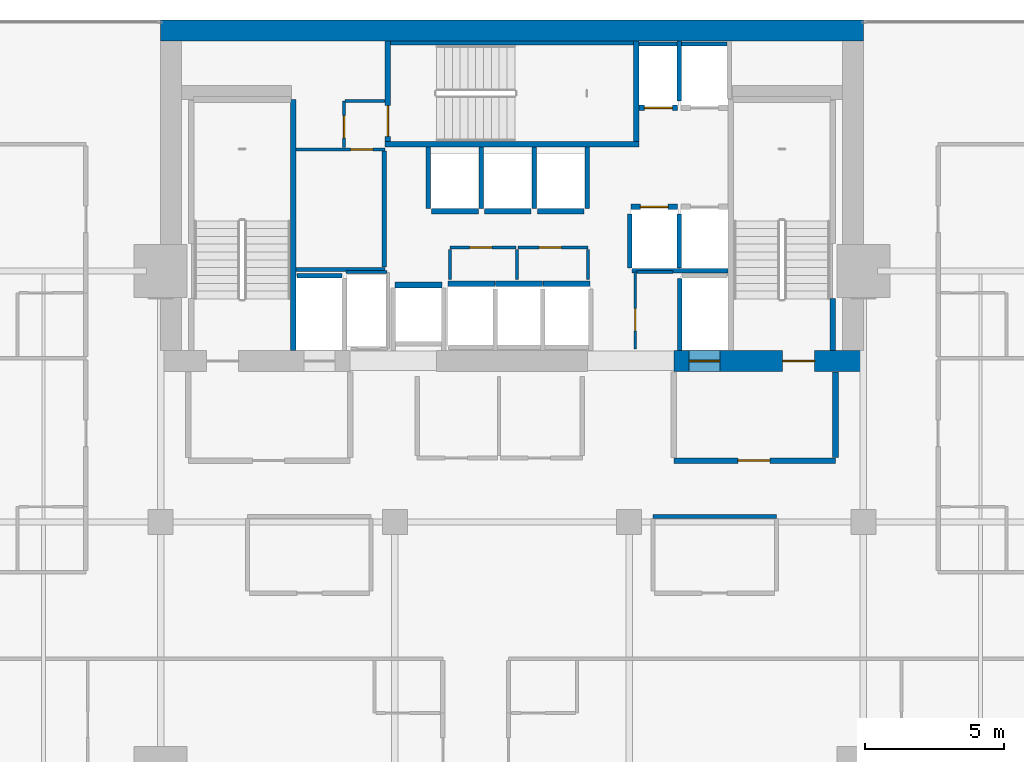
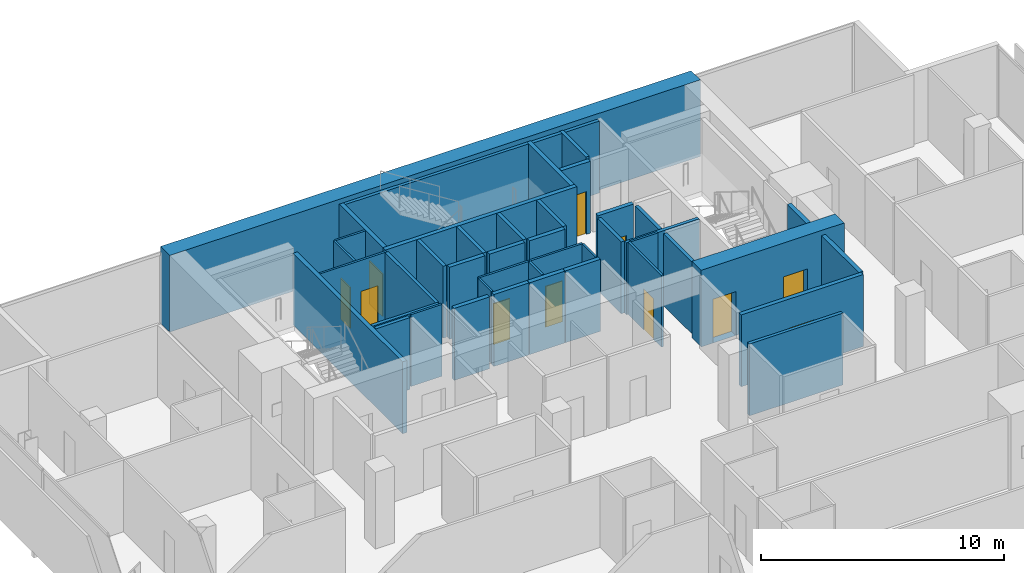
# One storey, part 30 of 34: 44 walls, 11 doors, 11 openings.
"""IFC4 building model written with IfcOpenShell, lengths in metres."""

from ifc_helpers import new_model, si_unit, direction, frame, frame_2d, origin, place, context, subcontext, project, spatial, rectangle, extrude, material, layer, layer_set, type_object, element, fill, save


model = new_model("IFC4")

# Units and contexts
model_context = context("Model", 3, precision=1e-05, world=origin(), true_north=direction((0.0, 1.0)))
body_context = subcontext(model_context, "Body", "Model", "MODEL_VIEW")
ifc_project = project(units=[si_unit("LENGTHUNIT", "METRE"), si_unit("AREAUNIT", "SQUARE_METRE"), si_unit("VOLUMEUNIT", "CUBIC_METRE"), si_unit("PLANEANGLEUNIT", "RADIAN"), si_unit("MASSUNIT", "GRAM", prefix="KILO")], contexts=[model_context])

# Site, building, storey
site_placement = place(None, origin())
site = spatial("IfcSite", under=ifc_project, at=site_placement, CompositionType="ELEMENT")
building_placement = place(site_placement, origin())
building = spatial("IfcBuilding", under=site, at=building_placement, Name="Maruvema Waterfront Hotel and Observation Tower", CompositionType="ELEMENT")
storey_placement = place(building_placement, frame((0.0, 0.0, 146.64990234375)))
storey = spatial("IfcBuildingStorey", under=building, at=storey_placement, Name="L35", CompositionType="ELEMENT", Elevation=146.64990234375)

# Walls
ifc_material_1 = material(Name="Twin-stud acoustic gypsum drywall", Category="gypsum")
ifc_layer_1 = layer(ifc_material_1, 0.14990234375, Name="Acoustic Corridor and Suite Demising Wall 150 mm")
ifc_layer_set_1 = layer_set([ifc_layer_1], Name="Twin-stud acoustic gypsum drywall")
wall_type_1 = type_object("IfcWallType", Name="Acoustic Corridor and Suite Demising Wall 150 mm", PredefinedType="PARTITIONING", material=ifc_layer_set_1)
wall_1_placement = place(storey_placement, frame((30.06005859375, 45.06005859375, 0.0), z_axis=(0.0, 0.0, 1.0), x_axis=(1.0, 0.0, 0.0)))
element("IfcWall", 1, at=wall_1_placement, inside=storey, type_object=wall_type_1, Name="L35 Freed B1 South Wall 017", PredefinedType="PARTITIONING", context=body_context, shape_type="SweptSolid", body=[
    extrude(rectangle(XDim=3.179931640625, YDim=0.14990234375, at=frame_2d((1.58984375, 0.0))), origin(), (0.0, 0.0, 1.0), 3.610107421875),
])
wall_2_placement = place(storey_placement, frame((33.219970703125, 45.139892578125, 0.0), z_axis=(0.0, 0.0, 1.0), x_axis=(0.0, 1.0, 0.0)))
element("IfcWall", 2, at=wall_2_placement, inside=storey, type_object=wall_type_1, Name="L35 Freed B1 East Wall 018", PredefinedType="PARTITIONING", context=body_context, shape_type="SweptSolid", body=[
    extrude(rectangle(XDim=4.16015625, YDim=0.14990234375, at=frame_2d((2.080078125, 0.0))), origin(), (0.0, 0.0, 1.0), 3.610107421875),
])
wall_3_placement = place(storey_placement, frame((42.85009765625, 36.199951171875, 0.0), z_axis=(0.0, 0.0, 1.0), x_axis=(1.0, 0.0, 0.0)))
element("IfcWall", 3, at=wall_3_placement, inside=storey, type_object=wall_type_1, Name="L35 L35-M2 Back Wall 031", PredefinedType="PARTITIONING", context=body_context, shape_type="SweptSolid", body=[
    extrude(rectangle(XDim=4.429931640625, YDim=0.14990234375, at=frame_2d((2.21484375, 0.0))), origin(), (0.0, 0.0, 1.0), 3.610107421875),
])
ifc_material_2 = material(Name="Precast concrete C45/55", Category="concrete")
ifc_layer_2 = layer(ifc_material_2, 0.14990234375, Name="Core Shaft Furring Wall 150 mm")
ifc_layer_set_2 = layer_set([ifc_layer_2], Name="Precast concrete C45/55")
wall_type_2 = type_object("IfcWallType", Name="Core Shaft Furring Wall 150 mm", PredefinedType="SOLIDWALL", material=ifc_layer_set_2)
wall_4_placement = place(storey_placement, frame((33.449951171875, 53.175048828125, 0.0), z_axis=(0.0, 0.0, 1.0), x_axis=(1.0, 0.0, 0.0)))
element("IfcWall", 4, at=wall_4_placement, inside=storey, type_object=wall_type_2, Name="L35 Stairwell ST-02 North Furring Wall", PredefinedType="SOLIDWALL", context=body_context, shape_type="SweptSolid", body=[
    extrude(rectangle(XDim=8.699951171875, YDim=0.14990234375, at=frame_2d((4.35009765625, 0.0))), origin(), (0.0, 0.0, 1.0), 3.610107421875),
])
ifc_material_3 = material(Name="Precast concrete C45/55", Category="concrete")
ifc_layer_3 = layer(ifc_material_3, 0.199951171875, Name="Core Shaft and Stairwell Enclosure Wall 200 mm")
ifc_layer_set_3 = layer_set([ifc_layer_3], Name="Precast concrete C45/55")
wall_type_3 = type_object("IfcWallType", Name="Core Shaft and Stairwell Enclosure Wall 200 mm", PredefinedType="SOLIDWALL", material=ifc_layer_set_3)
wall_5_placement = place(storey_placement, frame((29.949951171875, 42.14990234375, 0.0), z_axis=(0.0, 0.0, 1.0), x_axis=(0.0, 1.0, 0.0)))
element("IfcWall", 5, at=wall_5_placement, inside=storey, type_object=wall_type_3, Name="L35 Stairwell ST-01 East Shaft Wall", PredefinedType="SOLIDWALL", context=body_context, shape_type="SweptSolid", body=[
    extrude(rectangle(XDim=9.0, YDim=0.199951171875, at=frame_2d((4.5, 0.0))), origin(), (0.0, 0.0, 1.0), 3.610107421875),
])
wall_6_placement = place(storey_placement, frame((33.25, 49.550048828125, 0.0), z_axis=(0.0, 0.0, 1.0), x_axis=(1.0, 0.0, 0.0)))
element("IfcWall", 6, at=wall_6_placement, inside=storey, type_object=wall_type_3, Name="L35 Stairwell ST-02 Shaft Wall", PredefinedType="SOLIDWALL", context=body_context, shape_type="SweptSolid", body=[
    extrude(rectangle(XDim=9.10009765625, YDim=0.199951171875, at=frame_2d((4.550048828125, 0.0))), origin(), (0.0, 0.0, 1.0), 3.610107421875),
])
wall_7_placement = place(storey_placement, frame((42.25, 49.64990234375, 0.0), z_axis=(0.0, 0.0, 1.0), x_axis=(0.0, 1.0, 0.0)))
element("IfcWall", 7, at=wall_7_placement, inside=storey, type_object=wall_type_3, Name="L35 Stairwell ST-02 Shaft Wall", PredefinedType="SOLIDWALL", context=body_context, shape_type="SweptSolid", body=[
    extrude(rectangle(XDim=3.60009765625, YDim=0.199951171875, at=frame_2d((1.800048828125, 0.0))), origin(), (0.0, 0.0, 1.0), 3.610107421875),
])

# Wall, opening, door
wall_8_placement = place(storey_placement, frame((33.35009765625, 49.64990234375, 0.0), z_axis=(0.0, 0.0, 1.0), x_axis=(0.0, 1.0, 0.0)))
wall_8 = element("IfcWall", 8, at=wall_8_placement, inside=storey, type_object=wall_type_3, Name="L35 Stairwell ST-02 Shaft Wall", PredefinedType="SOLIDWALL", context=body_context, shape_type="SweptSolid", body=[
    extrude(rectangle(XDim=3.60009765625, YDim=0.199951171875, at=frame_2d((1.800048828125, 0.0))), origin(), (0.0, 0.0, 1.0), 3.610107421875),
])
opening_1_placement = place(wall_8_placement, frame((0.179931640625, 0.0, 0.0)))
opening_1 = element("IfcOpeningElement", 9, at=opening_1_placement, cuts=wall_8, Name="Opening SD-02", PredefinedType="OPENING", context=body_context, shape_type="SweptSolid", body=[
    extrude(rectangle(XDim=1.10009765625, YDim=2.14990234375, at=frame_2d((0.550048828125, 1.074951171875))), frame((0.0, 0.10986328125, 0.0), z_axis=(0.0, -1.0, 0.0), x_axis=(1.0, 0.0, 0.0)), (0.0, 0.0, 1.0), 0.219970703125),
])
ifc_material_4 = material(Name="Fire-rated galvanised steel leaf", Category="steel")
door_type_1 = type_object("IfcDoorType", Name="Central Exit Stair Fire Door 1100x2150 mm", OperationType="NOTDEFINED", PredefinedType="DOOR", material=ifc_material_4)
door_1_placement = place(opening_1_placement, frame((1.10009765625, 0.0, 0.0), z_axis=(0.0, 0.0, 1.0), x_axis=(-1.0, 0.0, 0.0)))
door_1 = element("IfcDoor", 10, at=door_1_placement, inside=storey, type_object=door_type_1, Name="L35 Exit Stair ST-02 Fire Door", OperationType="SINGLE_SWING_LEFT", OverallHeight=2.14990234375, OverallWidth=1.10009765625, PredefinedType="DOOR", context=body_context, shape_type="SweptSolid", body=[
    extrude(rectangle(XDim=1.10009765625, YDim=2.14990234375, at=frame_2d((0.550048828125, 1.074951171875))), frame((0.0, 0.02490234375, 0.0), z_axis=(0.0, -1.0, 0.0), x_axis=(1.0, 0.0, 0.0)), (0.0, 0.0, 1.0), 0.050048828125),
])
fill(opening_1, door_1)

# Wall
wall_9_placement = place(storey_placement, frame((49.300048828125, 42.14990234375, 0.0), z_axis=(0.0, 0.0, 1.0), x_axis=(0.0, 1.0, 0.0)))
element("IfcWall", 11, at=wall_9_placement, inside=storey, type_object=wall_type_3, Name="L35 Stairwell ST-03 Shaft Lining Wall", PredefinedType="SOLIDWALL", context=body_context, shape_type="SweptSolid", body=[
    extrude(rectangle(XDim=1.8701171875, YDim=0.199951171875, at=frame_2d((0.93505859375, 0.0))), origin(), (0.0, 0.0, 1.0), 3.610107421875),
])

# Wall, opening, door
wall_10_placement = place(storey_placement, frame((42.06005859375, 47.300048828125, 0.0), z_axis=(0.0, 0.0, 1.0), x_axis=(1.0, 0.0, 0.0)))
wall_10 = element("IfcWall", 12, at=wall_10_placement, inside=storey, type_object=wall_type_3, Name="L35 Lift LF-05 Hoistway Front Wall", PredefinedType="SOLIDWALL", context=body_context, shape_type="SweptSolid", body=[
    extrude(rectangle(XDim=1.679931640625, YDim=0.199951171875, at=frame_2d((0.83984375, 0.0))), origin(), (0.0, 0.0, 1.0), 3.610107421875),
])
opening_2_placement = place(wall_10_placement, frame((0.340087890625, 0.0, 0.0)))
opening_2 = element("IfcOpeningElement", 13, at=opening_2_placement, cuts=wall_10, Name="Opening LD-01", PredefinedType="OPENING", context=body_context, shape_type="SweptSolid", body=[
    extrude(rectangle(XDim=1.0, YDim=2.14990234375, at=frame_2d((0.5, 1.074951171875))), frame((0.0, 0.10986328125, 0.0), z_axis=(0.0, -1.0, 0.0), x_axis=(1.0, 0.0, 0.0)), (0.0, 0.0, 1.0), 0.219970703125),
])
ifc_material_5 = material(Name="Brushed stainless steel Grade 316", Category="steel")
door_type_2 = type_object("IfcDoorType", Name="Passenger Lift Sliding Landing Door 1000x2150 mm", OperationType="SLIDING_TO_LEFT", PredefinedType="DOOR", material=ifc_material_5)
door_2_placement = place(opening_2_placement, origin())
door_2 = element("IfcDoor", 14, at=door_2_placement, inside=storey, type_object=door_type_2, Name="L35 Lift LF-05 Sliding Landing Door", OperationType="SLIDING_TO_LEFT", OverallHeight=2.14990234375, OverallWidth=1.0, PredefinedType="DOOR", context=body_context, shape_type="SweptSolid", body=[
    extrude(rectangle(XDim=1.0, YDim=2.14990234375, at=frame_2d((0.5, 1.074951171875))), frame((0.0, 0.02490234375, 0.0), z_axis=(0.0, -1.0, 0.0), x_axis=(1.0, 0.0, 0.0)), (0.0, 0.0, 1.0), 0.050048828125),
])
fill(opening_2, door_2)

wall_11_placement = place(storey_placement, frame((42.360107421875, 50.85009765625, 0.0), z_axis=(0.0, 0.0, 1.0), x_axis=(1.0, 0.0, 0.0)))
wall_11 = element("IfcWall", 15, at=wall_11_placement, inside=storey, type_object=wall_type_3, Name="L35 Lift LF-07 Hoistway Front Wall", PredefinedType="SOLIDWALL", context=body_context, shape_type="SweptSolid", body=[
    extrude(rectangle(XDim=1.3798828125, YDim=0.199951171875, at=frame_2d((0.68994140625, 0.0))), origin(), (0.0, 0.0, 1.0), 3.610107421875),
])
opening_3_placement = place(wall_11_placement, frame((0.18994140625, 0.0, 0.0)))
opening_3 = element("IfcOpeningElement", 16, at=opening_3_placement, cuts=wall_11, Name="Opening LD-01", PredefinedType="OPENING", context=body_context, shape_type="SweptSolid", body=[
    extrude(rectangle(XDim=1.0, YDim=2.14990234375, at=frame_2d((0.5, 1.074951171875))), frame((0.0, 0.10986328125, 0.0), z_axis=(0.0, -1.0, 0.0), x_axis=(1.0, 0.0, 0.0)), (0.0, 0.0, 1.0), 0.219970703125),
])
door_3_placement = place(opening_3_placement, frame((1.0, 0.0, 0.0), z_axis=(0.0, 0.0, 1.0), x_axis=(-1.0, 0.0, 0.0)))
door_3 = element("IfcDoor", 17, at=door_3_placement, inside=storey, type_object=door_type_2, Name="L35 Lift LF-07 Sliding Landing Door", OperationType="SLIDING_TO_LEFT", OverallHeight=2.14990234375, OverallWidth=1.0, PredefinedType="DOOR", context=body_context, shape_type="SweptSolid", body=[
    extrude(rectangle(XDim=1.0, YDim=2.14990234375, at=frame_2d((0.5, 1.074951171875))), frame((0.0, 0.02490234375, 0.0), z_axis=(0.0, -1.0, 0.0), x_axis=(1.0, 0.0, 0.0)), (0.0, 0.0, 1.0), 0.050048828125),
])
fill(opening_3, door_3)

# Walls
for number, where, z_axis, x_axis, name in (
    (18, (35.510009765625, 44.550048828125, 0.0), (0.0, 0.0, 1.0), (1.0, 0.0, 0.0), "L35 Lift LF-09 Hoistway Front Wall"),
    (19, (37.2099609375, 44.550048828125, 0.0), (0.0, 0.0, 1.0), (1.0, 0.0, 0.0), "L35 Lift LF-10 Hoistway Front Wall"),
):
    element("IfcWall", number, at=place(storey_placement, frame(where, z_axis=z_axis, x_axis=x_axis)), inside=storey, type_object=wall_type_3, Name=name, PredefinedType="SOLIDWALL", context=body_context, shape_type="SweptSolid", body=[
        extrude(rectangle(XDim=1.679931640625, YDim=0.199951171875, at=frame_2d((0.83984375, 0.0))), origin(), (0.0, 0.0, 1.0), 3.610107421875),
    ])
for number, where, z_axis, x_axis, name in (
    (20, (38.909912109375, 44.550048828125, 0.0), (0.0, 0.0, 1.0), (1.0, 0.0, 0.0), "L35 Lift LF-11 Hoistway Front Wall"),
    (21, (34.909912109375, 47.14990234375, 0.0), (0.0, 0.0, 1.0), (1.0, 0.0, 0.0), "L35 Lift LF-12 Hoistway Front Wall"),
):
    element("IfcWall", number, at=place(storey_placement, frame(where, z_axis=z_axis, x_axis=x_axis)), inside=storey, type_object=wall_type_3, Name=name, PredefinedType="SOLIDWALL", context=body_context, shape_type="SweptSolid", body=[
        extrude(rectangle(XDim=1.68017578125, YDim=0.199951171875, at=frame_2d((0.840087890625, 0.0))), origin(), (0.0, 0.0, 1.0), 3.610107421875),
    ])
for number, where, z_axis, x_axis, name in (
    (22, (36.81005859375, 47.14990234375, 0.0), (0.0, 0.0, 1.0), (1.0, 0.0, 0.0), "L35 Lift LF-13 Hoistway Front Wall"),
    (23, (38.7099609375, 47.14990234375, 0.0), (0.0, 0.0, 1.0), (1.0, 0.0, 0.0), "L35 Lift LF-14 Hoistway Front Wall"),
    (24, (33.610107421875, 44.5, 0.0), (0.0, 0.0, 1.0), (1.0, 0.0, 0.0), "L35 Lift LF-15 Hoistway Front Wall"),
):
    element("IfcWall", number, at=place(storey_placement, frame(where, z_axis=z_axis, x_axis=x_axis)), inside=storey, type_object=wall_type_3, Name=name, PredefinedType="SOLIDWALL", context=body_context, shape_type="SweptSolid", body=[
        extrude(rectangle(XDim=1.679931640625, YDim=0.199951171875, at=frame_2d((0.83984375, 0.0))), origin(), (0.0, 0.0, 1.0), 3.610107421875),
    ])
ifc_material_6 = material(Name="Concrete C70/85", Category="concrete")
ifc_layer_4 = layer(ifc_material_6, 0.75, Name="Core Shear Wall 750 mm")
ifc_layer_set_4 = layer_set([ifc_layer_4], Name="Concrete C70/85")
wall_type_4 = type_object("IfcWallType", Name="Core Shear Wall 750 mm", PredefinedType="SHEAR", material=ifc_layer_set_4)
wall_12_placement = place(storey_placement, frame((25.199951171875, 53.625, 0.0), z_axis=(0.0, 0.0, 1.0), x_axis=(1.0, 0.0, 0.0)))
element("IfcWall", 25, at=wall_12_placement, inside=storey, type_object=wall_type_4, Name="L35 North Core Shear Wall", PredefinedType="SHEAR", context=body_context, shape_type="SweptSolid", body=[
    extrude(rectangle(XDim=25.199951171875, YDim=0.75, at=frame_2d((12.60009765625, 0.0))), origin(), (0.0, 0.0, 1.0), 3.85009765625),
])

# Wall, openings, doors
wall_13_placement = place(storey_placement, frame((43.60009765625, 41.77490234375, 0.0), z_axis=(0.0, 0.0, 1.0), x_axis=(1.0, 0.0, 0.0)))
wall_13 = element("IfcWall", 26, at=wall_13_placement, inside=storey, type_object=wall_type_4, Name="L35 South-East Core Shear Wall", PredefinedType="SHEAR", context=body_context, shape_type="SweptSolid", body=[
    extrude(rectangle(XDim=6.7998046875, YDim=0.75, at=frame_2d((3.39990234375, 0.0))), origin(), (0.0, 0.0, 1.0), 3.85009765625),
])
opening_4_placement = place(wall_13_placement, frame((3.89990234375, 0.0, 0.0)))
opening_4 = element("IfcOpeningElement", 27, at=opening_4_placement, cuts=wall_13, Name="Opening SD-01", PredefinedType="OPENING", context=body_context, shape_type="SweptSolid", body=[
    extrude(rectangle(XDim=1.14990234375, YDim=2.14990234375, at=frame_2d((0.574951171875, 1.074951171875))), frame((0.0, 0.385009765625, 0.0), z_axis=(0.0, -1.0, 0.0), x_axis=(1.0, 0.0, 0.0)), (0.0, 0.0, 1.0), 0.77001953125),
])
opening_5_placement = place(wall_13_placement, frame((0.550048828125, 0.0, 0.0)))
opening_5 = element("IfcOpeningElement", 28, at=opening_5_placement, cuts=wall_13, Name="Opening LD-03", PredefinedType="OPENING", context=body_context, shape_type="SweptSolid", body=[
    extrude(rectangle(XDim=1.10009765625, YDim=2.199951171875, at=frame_2d((0.550048828125, 1.10009765625))), frame((0.0, 0.385009765625, 0.0), z_axis=(0.0, -1.0, 0.0), x_axis=(1.0, 0.0, 0.0)), (0.0, 0.0, 1.0), 0.77001953125),
])
ifc_material_7 = material(Name="Fire-rated galvanised steel leaf", Category="steel")
door_type_3 = type_object("IfcDoorType", Name="Exit Stair Fire Door 1150x2150 mm", OperationType="NOTDEFINED", PredefinedType="DOOR", material=ifc_material_7)
door_4_placement = place(opening_4_placement, origin())
door_4 = element("IfcDoor", 29, at=door_4_placement, inside=storey, type_object=door_type_3, Name="L35 Exit Stair ST-03 Fire Door", OperationType="SINGLE_SWING_RIGHT", OverallHeight=2.14990234375, OverallWidth=1.14990234375, PredefinedType="DOOR", context=body_context, shape_type="SweptSolid", body=[
    extrude(rectangle(XDim=1.14990234375, YDim=2.14990234375, at=frame_2d((0.574951171875, 1.074951171875))), frame((0.0, 0.02490234375, 0.0), z_axis=(0.0, -1.0, 0.0), x_axis=(1.0, 0.0, 0.0)), (0.0, 0.0, 1.0), 0.050048828125),
])
fill(opening_4, door_4)
ifc_material_8 = material(Name="Brushed stainless steel Grade 316", Category="steel")
door_type_4 = type_object("IfcDoorType", Name="Firefighting Lift Sliding Landing Door 1100x2200 mm", OperationType="SLIDING_TO_LEFT", PredefinedType="DOOR", material=ifc_material_8)
door_5_placement = place(opening_5_placement, frame((1.10009765625, 0.0, 0.0), z_axis=(0.0, 0.0, 1.0), x_axis=(-1.0, 0.0, 0.0)))
door_5 = element("IfcDoor", 30, at=door_5_placement, inside=storey, type_object=door_type_4, Name="L35 Firefighting Lift FL-02 Landing Door", OperationType="SLIDING_TO_LEFT", OverallHeight=2.199951171875, OverallWidth=1.10009765625, PredefinedType="DOOR", context=body_context, shape_type="SweptSolid", body=[
    extrude(rectangle(XDim=1.10009765625, YDim=2.199951171875, at=frame_2d((0.550048828125, 1.10009765625))), frame((0.0, 0.02490234375, 0.0), z_axis=(0.0, -1.0, 0.0), x_axis=(1.0, 0.0, 0.0)), (0.0, 0.0, 1.0), 0.050048828125),
])
fill(opening_5, door_5)

# Wall
ifc_material_9 = material(Name="Moisture-resistant cement-board drywall", Category="gypsum")
ifc_layer_5 = layer(ifc_material_9, 0.10009765625, Name="En-Suite Moisture-Resistant Partition 100 mm")
ifc_layer_set_5 = layer_set([ifc_layer_5], Name="Moisture-resistant cement-board drywall")
wall_type_5 = type_object("IfcWallType", Name="En-Suite Moisture-Resistant Partition 100 mm", PredefinedType="PARTITIONING", material=ifc_layer_set_5)
wall_14_placement = place(storey_placement, frame((31.840087890625, 44.9599609375, 0.0), z_axis=(0.0, 0.0, 1.0), x_axis=(1.0, 0.0, 0.0)))
element("IfcWall", 31, at=wall_14_placement, inside=storey, type_object=wall_type_5, Name="L35 Telecom Riser North Wall 008", PredefinedType="PARTITIONING", context=body_context, shape_type="SweptSolid", body=[
    extrude(rectangle(XDim=1.47998046875, YDim=0.10009765625, at=frame_2d((0.739990234375, 0.0))), origin(), (0.0, 0.0, 1.0), 3.610107421875),
])

# Wall, opening, door
wall_15_placement = place(storey_placement, frame((35.580078125, 45.840087890625, 0.0), z_axis=(0.0, 0.0, 1.0), x_axis=(1.0, 0.0, 0.0)))
wall_15 = element("IfcWall", 32, at=wall_15_placement, inside=storey, type_object=wall_type_5, Name="L35 Core Closet K2A North 010", PredefinedType="PARTITIONING", context=body_context, shape_type="SweptSolid", body=[
    extrude(rectangle(XDim=2.35986328125, YDim=0.10009765625, at=frame_2d((1.179931640625, 0.0))), origin(), (0.0, 0.0, 1.0), 3.610107421875),
])
opening_6_placement = place(wall_15_placement, frame((0.699951171875, 0.0, 0.0)))
opening_6 = element("IfcOpeningElement", 33, at=opening_6_placement, cuts=wall_15, Name="Opening DR-080", PredefinedType="OPENING", context=body_context, shape_type="SweptSolid", body=[
    extrude(rectangle(XDim=0.800048828125, YDim=2.050048828125, at=frame_2d((0.39990234375, 1.02490234375))), frame((0.0, 0.06005859375, 0.0), z_axis=(0.0, -1.0, 0.0), x_axis=(1.0, 0.0, 0.0)), (0.0, 0.0, 1.0), 0.1201171875),
])
ifc_material_10 = material(Name="Powder-coated steel access leaf", Category="steel")
door_type_5 = type_object("IfcDoorType", Name="Riser and Service Cupboard Door 800x2050 mm", OperationType="NOTDEFINED", PredefinedType="DOOR", material=ifc_material_10)
door_6_placement = place(opening_6_placement, origin())
door_6 = element("IfcDoor", 34, at=door_6_placement, inside=storey, type_object=door_type_5, Name="L35 Core IT Closet Door", OperationType="SINGLE_SWING_LEFT", OverallHeight=2.050048828125, OverallWidth=0.800048828125, PredefinedType="DOOR", context=body_context, shape_type="SweptSolid", body=[
    extrude(rectangle(XDim=0.800048828125, YDim=2.050048828125, at=frame_2d((0.39990234375, 1.02490234375))), frame((0.0, 0.02490234375, 0.0), z_axis=(0.0, -1.0, 0.0), x_axis=(1.0, 0.0, 0.0)), (0.0, 0.0, 1.0), 0.050048828125),
])
fill(opening_6, door_6)

wall_16_placement = place(storey_placement, frame((38.02001953125, 45.840087890625, 0.0), z_axis=(0.0, 0.0, 1.0), x_axis=(1.0, 0.0, 0.0)))
wall_16 = element("IfcWall", 35, at=wall_16_placement, inside=storey, type_object=wall_type_5, Name="L35 Core Closet K2B North 011", PredefinedType="PARTITIONING", context=body_context, shape_type="SweptSolid", body=[
    extrude(rectangle(XDim=2.5, YDim=0.10009765625, at=frame_2d((1.25, 0.0))), origin(), (0.0, 0.0, 1.0), 3.610107421875),
])
opening_7_placement = place(wall_16_placement, frame((0.75, 0.0, 0.0)))
opening_7 = element("IfcOpeningElement", 36, at=opening_7_placement, cuts=wall_16, Name="Opening DR-080", PredefinedType="OPENING", context=body_context, shape_type="SweptSolid", body=[
    extrude(rectangle(XDim=0.800048828125, YDim=2.050048828125, at=frame_2d((0.39990234375, 1.02490234375))), frame((0.0, 0.06005859375, 0.0), z_axis=(0.0, -1.0, 0.0), x_axis=(1.0, 0.0, 0.0)), (0.0, 0.0, 1.0), 0.1201171875),
])
door_7_placement = place(opening_7_placement, origin())
door_7 = element("IfcDoor", 37, at=door_7_placement, inside=storey, type_object=door_type_5, Name="L35 Core Linen Cupboard Door", OperationType="SINGLE_SWING_RIGHT", OverallHeight=2.050048828125, OverallWidth=0.800048828125, PredefinedType="DOOR", context=body_context, shape_type="SweptSolid", body=[
    extrude(rectangle(XDim=0.800048828125, YDim=2.050048828125, at=frame_2d((0.39990234375, 1.02490234375))), frame((0.0, 0.02490234375, 0.0), z_axis=(0.0, -1.0, 0.0), x_axis=(1.0, 0.0, 0.0)), (0.0, 0.0, 1.0), 0.050048828125),
])
fill(opening_7, door_7)

# Walls
for number, where, z_axis, x_axis, name in (
    (38, (35.580078125, 44.699951171875, 0.0), (0.0, 0.0, 1.0), (0.0, 1.0, 0.0), "L35 Core Closet K2 West 012"),
    (39, (37.97998046875, 44.699951171875, 0.0), (0.0, 0.0, 1.0), (0.0, 1.0, 0.0), "L35 Core Closet K2 Mid 013"),
    (40, (40.52001953125, 44.699951171875, 0.0), (0.0, 0.0, 1.0), (0.0, 1.0, 0.0), "L35 Core Closet K2 East 014"),
):
    element("IfcWall", number, at=place(storey_placement, frame(where, z_axis=z_axis, x_axis=x_axis)), inside=storey, type_object=wall_type_5, Name=name, PredefinedType="PARTITIONING", context=body_context, shape_type="SweptSolid", body=[
        extrude(rectangle(XDim=1.080078125, YDim=0.10009765625, at=frame_2d((0.5400390625, 0.0))), origin(), (0.0, 0.0, 1.0), 3.610107421875),
    ])

# Wall, opening, door
wall_17_placement = place(storey_placement, frame((42.219970703125, 42.199951171875, 0.0), z_axis=(0.0, 0.0, 1.0), x_axis=(0.0, 1.0, 0.0)))
wall_17 = element("IfcWall", 41, at=wall_17_placement, inside=storey, type_object=wall_type_5, Name="L35 Core Closet K2C West 015", PredefinedType="PARTITIONING", context=body_context, shape_type="SweptSolid", body=[
    extrude(rectangle(XDim=2.760009765625, YDim=0.10009765625, at=frame_2d((1.3798828125, 0.0))), origin(), (0.0, 0.0, 1.0), 3.610107421875),
])
opening_8_placement = place(wall_17_placement, frame((0.64990234375, 0.0, 0.0)))
opening_8 = element("IfcOpeningElement", 42, at=opening_8_placement, cuts=wall_17, Name="Opening DR-080", PredefinedType="OPENING", context=body_context, shape_type="SweptSolid", body=[
    extrude(rectangle(XDim=0.800048828125, YDim=2.050048828125, at=frame_2d((0.39990234375, 1.02490234375))), frame((0.0, 0.06005859375, 0.0), z_axis=(0.0, -1.0, 0.0), x_axis=(1.0, 0.0, 0.0)), (0.0, 0.0, 1.0), 0.1201171875),
])
door_8_placement = place(opening_8_placement, frame((0.800048828125, 0.0, 0.0), z_axis=(0.0, 0.0, 1.0), x_axis=(-1.0, 0.0, 0.0)))
door_8 = element("IfcDoor", 43, at=door_8_placement, inside=storey, type_object=door_type_5, Name="L35 Core Housekeeping Closet Door", OperationType="SINGLE_SWING_LEFT", OverallHeight=2.050048828125, OverallWidth=0.800048828125, PredefinedType="DOOR", context=body_context, shape_type="SweptSolid", body=[
    extrude(rectangle(XDim=0.800048828125, YDim=2.050048828125, at=frame_2d((0.39990234375, 1.02490234375))), frame((0.0, 0.02490234375, 0.0), z_axis=(0.0, -1.0, 0.0), x_axis=(1.0, 0.0, 0.0)), (0.0, 0.0, 1.0), 0.050048828125),
])
fill(opening_8, door_8)

# Wall
wall_18_placement = place(storey_placement, frame((42.280029296875, 44.9599609375, 0.0), z_axis=(0.0, 0.0, 1.0), x_axis=(1.0, 0.0, 0.0)))
element("IfcWall", 44, at=wall_18_placement, inside=storey, type_object=wall_type_5, Name="L35 Core Closet K2C North 016", PredefinedType="PARTITIONING", context=body_context, shape_type="SweptSolid", body=[
    extrude(rectangle(XDim=1.300048828125, YDim=0.10009765625, at=frame_2d((0.64990234375, 0.0))), origin(), (0.0, 0.0, 1.0), 3.610107421875),
])

# Wall, opening, door
wall_19_placement = place(storey_placement, frame((30.06005859375, 49.360107421875, 0.0), z_axis=(0.0, 0.0, 1.0), x_axis=(1.0, 0.0, 0.0)))
wall_19 = element("IfcWall", 45, at=wall_19_placement, inside=storey, type_object=wall_type_5, Name="L35 Freed B1 Mid Wall 019", PredefinedType="PARTITIONING", context=body_context, shape_type="SweptSolid", body=[
    extrude(rectangle(XDim=3.179931640625, YDim=0.10009765625, at=frame_2d((1.58984375, 0.0))), origin(), (0.0, 0.0, 1.0), 3.610107421875),
])
opening_9_placement = place(wall_19_placement, frame((1.949951171875, 0.0, 0.0)))
opening_9 = element("IfcOpeningElement", 46, at=opening_9_placement, cuts=wall_19, Name="Opening DR-080", PredefinedType="OPENING", context=body_context, shape_type="SweptSolid", body=[
    extrude(rectangle(XDim=0.800048828125, YDim=2.050048828125, at=frame_2d((0.39990234375, 1.02490234375))), frame((0.0, 0.06005859375, 0.0), z_axis=(0.0, -1.0, 0.0), x_axis=(1.0, 0.0, 0.0)), (0.0, 0.0, 1.0), 0.1201171875),
])
door_9_placement = place(opening_9_placement, origin())
door_9 = element("IfcDoor", 47, at=door_9_placement, inside=storey, type_object=door_type_5, Name="L35 Housekeeping and Linen Room Door", OperationType="SINGLE_SWING_RIGHT", OverallHeight=2.050048828125, OverallWidth=0.800048828125, PredefinedType="DOOR", context=body_context, shape_type="SweptSolid", body=[
    extrude(rectangle(XDim=0.800048828125, YDim=2.050048828125, at=frame_2d((0.39990234375, 1.02490234375))), frame((0.0, 0.02490234375, 0.0), z_axis=(0.0, -1.0, 0.0), x_axis=(1.0, 0.0, 0.0)), (0.0, 0.0, 1.0), 0.050048828125),
])
fill(opening_9, door_9)

wall_20_placement = place(storey_placement, frame((31.780029296875, 49.419921875, 0.0), z_axis=(0.0, 0.0, 1.0), x_axis=(0.0, 1.0, 0.0)))
wall_20 = element("IfcWall", 48, at=wall_20_placement, inside=storey, type_object=wall_type_5, Name="L35 Freed B1 NW East Wall 020", PredefinedType="PARTITIONING", context=body_context, shape_type="SweptSolid", body=[
    extrude(rectangle(XDim=1.68017578125, YDim=0.10009765625, at=frame_2d((0.840087890625, 0.0))), origin(), (0.0, 0.0, 1.0), 3.610107421875),
])
opening_10_placement = place(wall_20_placement, frame((0.35009765625, 0.0, 0.0)))
opening_10 = element("IfcOpeningElement", 49, at=opening_10_placement, cuts=wall_20, Name="Opening DR-080", PredefinedType="OPENING", context=body_context, shape_type="SweptSolid", body=[
    extrude(rectangle(XDim=0.800048828125, YDim=2.050048828125, at=frame_2d((0.39990234375, 1.02490234375))), frame((0.0, 0.06005859375, 0.0), z_axis=(0.0, -1.0, 0.0), x_axis=(1.0, 0.0, 0.0)), (0.0, 0.0, 1.0), 0.1201171875),
])
door_10_placement = place(opening_10_placement, origin())
door_10 = element("IfcDoor", 50, at=door_10_placement, inside=storey, type_object=door_type_5, Name="L35 Guest Floor Pantry Door", OperationType="SINGLE_SWING_LEFT", OverallHeight=2.050048828125, OverallWidth=0.800048828125, PredefinedType="DOOR", context=body_context, shape_type="SweptSolid", body=[
    extrude(rectangle(XDim=0.800048828125, YDim=2.050048828125, at=frame_2d((0.39990234375, 1.02490234375))), frame((0.0, 0.02490234375, 0.0), z_axis=(0.0, -1.0, 0.0), x_axis=(1.0, 0.0, 0.0)), (0.0, 0.0, 1.0), 0.050048828125),
])
fill(opening_10, door_10)

# Wall
wall_21_placement = place(storey_placement, frame((31.820068359375, 51.10009765625, 0.0), z_axis=(0.0, 0.0, 1.0), x_axis=(1.0, 0.0, 0.0)))
element("IfcWall", 51, at=wall_21_placement, inside=storey, type_object=wall_type_5, Name="L35 Freed B1 Vestibule North Wall 021", PredefinedType="PARTITIONING", context=body_context, shape_type="SweptSolid", body=[
    extrude(rectangle(XDim=1.419921875, YDim=0.10009765625, at=frame_2d((0.7099609375, 0.0))), origin(), (0.0, 0.0, 1.0), 3.610107421875),
])

# Wall, opening, door
ifc_material_11 = material(Name="Autoclaved cellular concrete blockwork", Category="masonry")
ifc_layer_6 = layer(ifc_material_11, 0.199951171875, Name="Fire Compartment Masonry Wall 200 mm")
ifc_layer_set_6 = layer_set([ifc_layer_6], Name="Autoclaved cellular concrete blockwork")
wall_type_6 = type_object("IfcWallType", Name="Fire Compartment Masonry Wall 200 mm", PredefinedType="PARTITIONING", material=ifc_layer_set_6)
wall_22_placement = place(storey_placement, frame((43.60009765625, 38.199951171875, 0.0), z_axis=(0.0, 0.0, 1.0), x_axis=(1.0, 0.0, 0.0)))
wall_22 = element("IfcWall", 52, at=wall_22_placement, inside=storey, type_object=wall_type_6, Name="L35 FFL East South Wall 004", PredefinedType="PARTITIONING", context=body_context, shape_type="SweptSolid", body=[
    extrude(rectangle(XDim=5.7998046875, YDim=0.199951171875, at=frame_2d((2.89990234375, 0.0))), origin(), (0.0, 0.0, 1.0), 3.610107421875),
])
opening_11_placement = place(wall_22_placement, frame((2.300048828125, 0.0, 0.0)))
opening_11 = element("IfcOpeningElement", 53, at=opening_11_placement, cuts=wall_22, Name="Opening FD-115", PredefinedType="OPENING", context=body_context, shape_type="SweptSolid", body=[
    extrude(rectangle(XDim=1.14990234375, YDim=2.14990234375, at=frame_2d((0.574951171875, 1.074951171875))), frame((0.0, 0.10986328125, 0.0), z_axis=(0.0, -1.0, 0.0), x_axis=(1.0, 0.0, 0.0)), (0.0, 0.0, 1.0), 0.219970703125),
])
ifc_material_12 = material(Name="Fire-rated galvanised steel and vision glass", Category="steel")
door_type_6 = type_object("IfcDoorType", Name="Firefighting Lobby Fire Door 1150x2150 mm", OperationType="NOTDEFINED", PredefinedType="DOOR", material=ifc_material_12)
door_11_placement = place(opening_11_placement, frame((1.14990234375, 0.0, 0.0), z_axis=(0.0, 0.0, 1.0), x_axis=(-1.0, 0.0, 0.0)))
door_11 = element("IfcDoor", 54, at=door_11_placement, inside=storey, type_object=door_type_6, Name="L35 Firefighting Lobby East Door", OperationType="SINGLE_SWING_LEFT", OverallHeight=2.14990234375, OverallWidth=1.14990234375, PredefinedType="DOOR", context=body_context, shape_type="SweptSolid", body=[
    extrude(rectangle(XDim=1.14990234375, YDim=2.14990234375, at=frame_2d((0.574951171875, 1.074951171875))), frame((0.0, 0.02490234375, 0.0), z_axis=(0.0, -1.0, 0.0), x_axis=(1.0, 0.0, 0.0)), (0.0, 0.0, 1.0), 0.050048828125),
])
fill(opening_11, door_11)

# Walls
wall_23_placement = place(storey_placement, frame((49.39990234375, 38.31005859375, 0.0), z_axis=(0.0, 0.0, 1.0), x_axis=(0.0, 1.0, 0.0)))
element("IfcWall", 55, at=wall_23_placement, inside=storey, type_object=wall_type_6, Name="L35 FFL East East Wall 006", PredefinedType="PARTITIONING", context=body_context, shape_type="SweptSolid", body=[
    extrude(rectangle(XDim=3.06982421875, YDim=0.199951171875, at=frame_2d((1.534912109375, 0.0))), origin(), (0.0, 0.0, 1.0), 3.610107421875),
])
ifc_material_13 = material(Name="Precast concrete C45/55", Category="concrete")
ifc_layer_7 = layer(ifc_material_13, 0.159912109375, Name="Lift Hoistway Divider Wall 160 mm")
ifc_layer_set_7 = layer_set([ifc_layer_7], Name="Precast concrete C45/55")
wall_type_7 = type_object("IfcWallType", Name="Lift Hoistway Divider Wall 160 mm", PredefinedType="SOLIDWALL", material=ifc_layer_set_7)
wall_24_placement = place(storey_placement, frame((30.10009765625, 44.830078125, 0.0), z_axis=(0.0, 0.0, 1.0), x_axis=(1.0, 0.0, 0.0)))
element("IfcWall", 56, at=wall_24_placement, inside=storey, type_object=wall_type_7, Name="L35 Lift FL-01 Rear Hoistway Wall", PredefinedType="SOLIDWALL", context=body_context, shape_type="SweptSolid", body=[
    extrude(rectangle(XDim=1.599853515625, YDim=0.159912109375, at=frame_2d((0.7998046875, 0.0))), origin(), (0.0, 0.0, 1.0), 3.610107421875),
])
wall_25_placement = place(storey_placement, frame((43.820068359375, 42.14990234375, 0.0), z_axis=(0.0, 0.0, 1.0), x_axis=(0.0, 1.0, 0.0)))
element("IfcWall", 57, at=wall_25_placement, inside=storey, type_object=wall_type_7, Name="L35 Lift FL-02 Inner Hoistway Wall", PredefinedType="SOLIDWALL", context=body_context, shape_type="SweptSolid", body=[
    extrude(rectangle(XDim=2.590087890625, YDim=0.159912109375, at=frame_2d((1.294921875, 0.0))), origin(), (0.0, 0.0, 1.0), 3.610107421875),
])
for number, where, z_axis, x_axis, name in (
    (58, (42.02001953125, 45.10009765625, 0.0), (0.0, 0.0, 1.0), (0.0, 1.0, 0.0), "L35 Hoistway Divider Wall"),
    (59, (43.800048828125, 45.10009765625, 0.0), (0.0, 0.0, 1.0), (0.0, 1.0, 0.0), "L35 Hoistway Divider Wall"),
):
    element("IfcWall", number, at=place(storey_placement, frame(where, z_axis=z_axis, x_axis=x_axis)), inside=storey, type_object=wall_type_7, Name=name, PredefinedType="SOLIDWALL", context=body_context, shape_type="SweptSolid", body=[
        extrude(rectangle(XDim=1.949951171875, YDim=0.159912109375, at=frame_2d((0.97509765625, 0.0))), origin(), (0.0, 0.0, 1.0), 3.610107421875),
    ])
wall_26_placement = place(storey_placement, frame((42.10009765625, 45.010009765625, 0.0), z_axis=(0.0, 0.0, 1.0), x_axis=(1.0, 0.0, 0.0)))
element("IfcWall", 60, at=wall_26_placement, inside=storey, type_object=wall_type_7, Name="L35 Hoistway Divider Wall", PredefinedType="SOLIDWALL", context=body_context, shape_type="SweptSolid", body=[
    extrude(rectangle(XDim=3.449951171875, YDim=0.159912109375, at=frame_2d((1.72509765625, 0.0))), origin(), (0.0, 0.0, 1.0), 3.610107421875),
])
wall_27_placement = place(storey_placement, frame((43.800048828125, 51.10009765625, 0.0), z_axis=(0.0, 0.0, 1.0), x_axis=(0.0, 1.0, 0.0)))
element("IfcWall", 61, at=wall_27_placement, inside=storey, type_object=wall_type_7, Name="L35 Hoistway Divider Wall", PredefinedType="SOLIDWALL", context=body_context, shape_type="SweptSolid", body=[
    extrude(rectangle(XDim=2.14990234375, YDim=0.159912109375, at=frame_2d((1.074951171875, 0.0))), origin(), (0.0, 0.0, 1.0), 3.610107421875),
])
wall_28_placement = place(storey_placement, frame((42.360107421875, 53.139892578125, 0.0), z_axis=(0.0, 0.0, 1.0), x_axis=(1.0, 0.0, 0.0)))
element("IfcWall", 62, at=wall_28_placement, inside=storey, type_object=wall_type_7, Name="L35 Hoistway Divider Wall", PredefinedType="SOLIDWALL", context=body_context, shape_type="SweptSolid", body=[
    extrude(rectangle(XDim=3.139892578125, YDim=0.159912109375, at=frame_2d((1.56982421875, 0.0))), origin(), (0.0, 0.0, 1.0), 3.610107421875),
])
for number, where, z_axis, x_axis, name in (
    (63, (34.800048828125, 47.25, 0.0), (0.0, 0.0, 1.0), (0.0, 1.0, 0.0), "L35 Hoistway Divider Wall"),
    (64, (36.699951171875, 47.25, 0.0), (0.0, 0.0, 1.0), (0.0, 1.0, 0.0), "L35 Hoistway Divider Wall"),
    (65, (38.60009765625, 47.25, 0.0), (0.0, 0.0, 1.0), (0.0, 1.0, 0.0), "L35 Hoistway Divider Wall"),
    (66, (40.5, 47.25, 0.0), (0.0, 0.0, 1.0), (0.0, 1.0, 0.0), "L35 Hoistway Divider Wall"),
):
    element("IfcWall", number, at=place(storey_placement, frame(where, z_axis=z_axis, x_axis=x_axis)), inside=storey, type_object=wall_type_7, Name=name, PredefinedType="SOLIDWALL", context=body_context, shape_type="SweptSolid", body=[
        extrude(rectangle(XDim=2.18994140625, YDim=0.159912109375, at=frame_2d((1.094970703125, 0.0))), origin(), (0.0, 0.0, 1.0), 3.610107421875),
    ])

save(model, "model.ifc")
